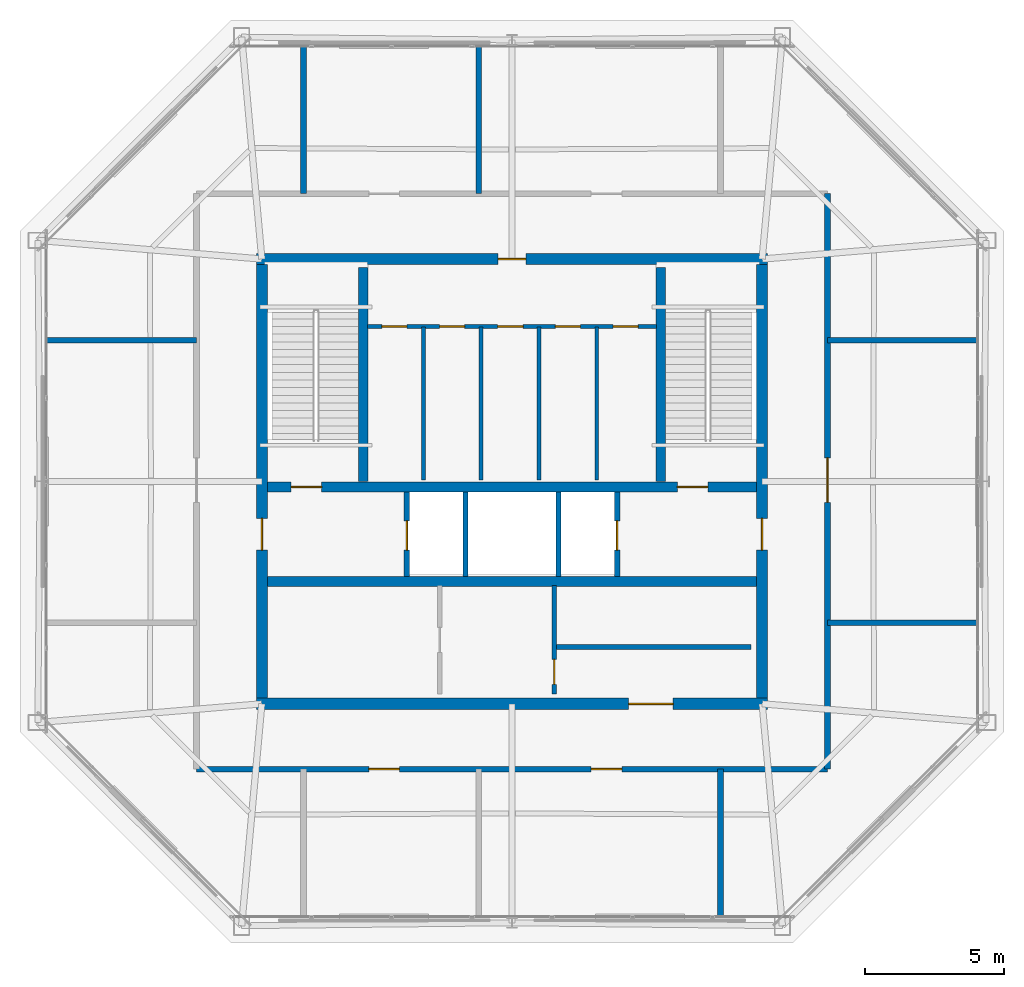
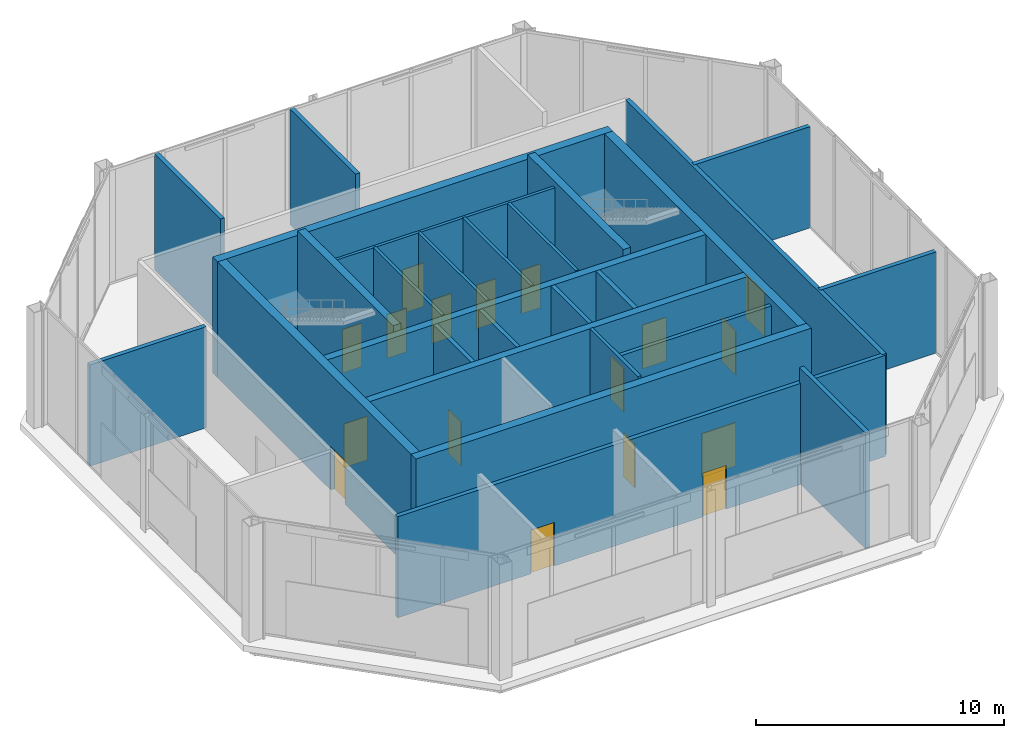
# One storey, part 18 of 20: 27 walls, 17 doors, 17 openings.
"""IFC4 building model written with IfcOpenShell, lengths in metres."""

from ifc_helpers import new_model, si_unit, direction, frame, frame_2d, origin, place, context, subcontext, project, spatial, rectangle, extrude, material, layer, layer_set, type_object, element, fill, save


model = new_model("IFC4")

# Units and contexts
model_context = context("Model", 3, precision=1e-05, world=origin(), true_north=direction((0.0, 1.0)))
body_context = subcontext(model_context, "Body", "Model", "MODEL_VIEW")
ifc_project = project(units=[si_unit("LENGTHUNIT", "METRE"), si_unit("AREAUNIT", "SQUARE_METRE"), si_unit("VOLUMEUNIT", "CUBIC_METRE"), si_unit("PLANEANGLEUNIT", "RADIAN"), si_unit("MASSUNIT", "GRAM", prefix="KILO")], contexts=[model_context])

# Site, building, storey
site_placement = place(None, origin())
site = spatial("IfcSite", under=ifc_project, at=site_placement, CompositionType="ELEMENT")
building_placement = place(site_placement, origin())
building = spatial("IfcBuilding", under=site, at=building_placement, Name="Caelvoria Tower", CompositionType="ELEMENT")
storey_placement = place(building_placement, frame((0.0, 0.0, 284.199951171875)))
storey = spatial("IfcBuildingStorey", under=building, at=storey_placement, Name="C1", CompositionType="ELEMENT", Elevation=284.199951171875)

# Wall, openings, doors
ifc_material_1 = material(Name="Concrete C50/60", Category="concrete")
ifc_layer_1 = layer(ifc_material_1, 0.35009765625, Name="Concrete C50/60")
ifc_layer_set_1 = layer_set([ifc_layer_1], Name="Core Internal Shear Wall 350 - Concrete C50/60")
wall_type_1 = type_object("IfcWallType", Name="Core Internal Shear Wall 350", PredefinedType="SHEAR", material=ifc_layer_set_1)
wall_1_placement = place(storey_placement, frame((37.199951171875, 31.800048828125, 0.0), z_axis=(0.0, 0.0, 1.0), x_axis=(1.0, 0.0, 0.0)))
wall_1 = element("IfcWall", 1, at=wall_1_placement, inside=storey, type_object=wall_type_1, Name="Core Shear Wall C1 M1", PredefinedType="SHEAR", context=body_context, shape_type="SweptSolid", body=[
    extrude(rectangle(XDim=17.60009765625, YDim=0.35009765625, at=frame_2d((8.800048828125, 0.0))), origin(), (0.0, 0.0, 1.0), 5.699951171875),
])
opening_1_placement = place(wall_1_placement, frame((0.85009765625, 0.0, 0.0)))
opening_1 = element("IfcOpeningElement", 2, at=opening_1_placement, cuts=wall_1, Name="Opening ID-01", PredefinedType="OPENING", context=body_context, shape_type="SweptSolid", body=[
    extrude(rectangle(XDim=1.10009765625, YDim=2.14990234375, at=frame_2d((0.550048828125, 1.074951171875))), frame((0.0, 0.18505859375, 0.0), z_axis=(0.0, -1.0, 0.0), x_axis=(1.0, 0.0, 0.0)), (0.0, 0.0, 1.0), 0.3701171875),
])
opening_2_placement = place(wall_1_placement, frame((14.75, 0.0, 0.0)))
opening_2 = element("IfcOpeningElement", 3, at=opening_2_placement, cuts=wall_1, Name="Opening ID-01", PredefinedType="OPENING", context=body_context, shape_type="SweptSolid", body=[
    extrude(rectangle(XDim=1.10009765625, YDim=2.14990234375, at=frame_2d((0.550048828125, 1.074951171875))), frame((0.0, 0.18505859375, 0.0), z_axis=(0.0, -1.0, 0.0), x_axis=(1.0, 0.0, 0.0)), (0.0, 0.0, 1.0), 0.3701171875),
])
ifc_material_2 = material(Name="Painted Hollow Steel Fire Door", Category="steel")
door_type_1 = type_object("IfcDoorType", Name="Fire Door FD90S 1100x2150", OperationType="NOTDEFINED", PredefinedType="DOOR", material=ifc_material_2)
door_1_placement = place(opening_1_placement, origin())
door_1 = element("IfcDoor", 4, at=door_1_placement, inside=storey, type_object=door_type_1, Name="Core Door DR-C1-ST1", OperationType="SINGLE_SWING_LEFT", OverallHeight=2.14990234375, OverallWidth=1.10009765625, PredefinedType="DOOR", context=body_context, shape_type="SweptSolid", body=[
    extrude(rectangle(XDim=1.10009765625, YDim=2.14990234375, at=frame_2d((0.550048828125, 1.074951171875))), frame((0.0, 0.02490234375, 0.0), z_axis=(0.0, -1.0, 0.0), x_axis=(1.0, 0.0, 0.0)), (0.0, 0.0, 1.0), 0.050048828125),
])
fill(opening_1, door_1)
door_2_placement = place(opening_2_placement, origin())
door_2 = element("IfcDoor", 5, at=door_2_placement, inside=storey, type_object=door_type_1, Name="Core Door DR-C1-ST2", OperationType="SINGLE_SWING_RIGHT", OverallHeight=2.14990234375, OverallWidth=1.10009765625, PredefinedType="DOOR", context=body_context, shape_type="SweptSolid", body=[
    extrude(rectangle(XDim=1.10009765625, YDim=2.14990234375, at=frame_2d((0.550048828125, 1.074951171875))), frame((0.0, 0.02490234375, 0.0), z_axis=(0.0, -1.0, 0.0), x_axis=(1.0, 0.0, 0.0)), (0.0, 0.0, 1.0), 0.050048828125),
])
fill(opening_2, door_2)

# Walls
wall_2_placement = place(storey_placement, frame((37.199951171875, 28.39990234375, 0.0), z_axis=(0.0, 0.0, 1.0), x_axis=(1.0, 0.0, 0.0)))
element("IfcWall", 6, at=wall_2_placement, inside=storey, type_object=wall_type_1, Name="Core Shear Wall C1 M2", PredefinedType="SHEAR", context=body_context, shape_type="SweptSolid", body=[
    extrude(rectangle(XDim=17.60009765625, YDim=0.35009765625, at=frame_2d((8.800048828125, 0.0))), origin(), (0.0, 0.0, 1.0), 5.699951171875),
])
for number, where, z_axis, x_axis, name in (
    (7, (40.64990234375, 32.0, 0.0), (0.0, 0.0, 1.0), (0.0, 1.0, 0.0), "Interior Partition IW-C1-ST1E"),
    (8, (51.35009765625, 32.0, 0.0), (0.0, 0.0, 1.0), (0.0, 1.0, 0.0), "Interior Partition IW-C1-ST2W"),
):
    element("IfcWall", number, at=place(storey_placement, frame(where, z_axis=z_axis, x_axis=x_axis)), inside=storey, type_object=wall_type_1, Name=name, PredefinedType="SHEAR", context=body_context, shape_type="SweptSolid", body=[
        extrude(rectangle(XDim=7.699951171875, YDim=0.35009765625, at=frame_2d((3.85009765625, 0.0))), origin(), (0.0, 0.0, 1.0), 6.0),
    ])
ifc_material_3 = material(Name="Moisture-Resistant Gypsum on Steel Stud", Category="steel")
ifc_layer_2 = layer(ifc_material_3, 0.139892578125, Name="Moisture-Resistant Gypsum on Steel Stud")
ifc_layer_set_2 = layer_set([ifc_layer_2], Name="Core Sanitary Acoustic Partition Wall 140 - Moisture-Resistant Gypsum on Steel Stud")
wall_type_2 = type_object("IfcWallType", Name="Core Sanitary Acoustic Partition Wall 140", PredefinedType="PARTITIONING", material=ifc_layer_set_2)
for number, where, z_axis, x_axis, name in (
    (9, (42.81005859375, 32.050048828125, 0.0), (0.0, 0.0, 1.0), (0.0, 1.0, 0.0), "Interior Partition IW-C1-C1V0"),
    (10, (44.889892578125, 32.050048828125, 0.0), (0.0, 0.0, 1.0), (0.0, 1.0, 0.0), "Interior Partition IW-C1-C1V1"),
    (11, (46.969970703125, 32.050048828125, 0.0), (0.0, 0.0, 1.0), (0.0, 1.0, 0.0), "Interior Partition IW-C1-C1V2"),
    (12, (49.050048828125, 32.050048828125, 0.0), (0.0, 0.0, 1.0), (0.0, 1.0, 0.0), "Interior Partition IW-C1-C1V3"),
):
    element("IfcWall", number, at=place(storey_placement, frame(where, z_axis=z_axis, x_axis=x_axis)), inside=storey, type_object=wall_type_2, Name=name, PredefinedType="PARTITIONING", context=body_context, shape_type="SweptSolid", body=[
        extrude(rectangle(XDim=5.5, YDim=0.139892578125, at=frame_2d((2.75, 0.0))), origin(), (0.0, 0.0, 1.0), 5.699951171875),
    ])

# Wall, openings, doors
wall_3_placement = place(storey_placement, frame((40.800048828125, 37.580078125, 0.0), z_axis=(0.0, 0.0, 1.0), x_axis=(1.0, 0.0, 0.0)))
wall_3 = element("IfcWall", 13, at=wall_3_placement, inside=storey, type_object=wall_type_2, Name="Interior Partition IW-C1-C1H", PredefinedType="PARTITIONING", context=body_context, shape_type="SweptSolid", body=[
    extrude(rectangle(XDim=10.39990234375, YDim=0.139892578125, at=frame_2d((5.199951171875, 0.0))), origin(), (0.0, 0.0, 1.0), 5.699951171875),
])
opening_3_placement = place(wall_3_placement, frame((0.52001953125, 0.0, 0.0)))
opening_3 = element("IfcOpeningElement", 14, at=opening_3_placement, cuts=wall_3, Name="Opening ID-06", PredefinedType="OPENING", context=body_context, shape_type="SweptSolid", body=[
    extrude(rectangle(XDim=0.89990234375, YDim=2.14990234375, at=frame_2d((0.449951171875, 1.074951171875))), frame((0.0, 0.079833984375, 0.0), z_axis=(0.0, -1.0, 0.0), x_axis=(1.0, 0.0, 0.0)), (0.0, 0.0, 1.0), 0.159912109375),
])
opening_4_placement = place(wall_3_placement, frame((2.60009765625, 0.0, 0.0)))
opening_4 = element("IfcOpeningElement", 15, at=opening_4_placement, cuts=wall_3, Name="Opening ID-06", PredefinedType="OPENING", context=body_context, shape_type="SweptSolid", body=[
    extrude(rectangle(XDim=0.89990234375, YDim=2.14990234375, at=frame_2d((0.449951171875, 1.074951171875))), frame((0.0, 0.079833984375, 0.0), z_axis=(0.0, -1.0, 0.0), x_axis=(1.0, 0.0, 0.0)), (0.0, 0.0, 1.0), 0.159912109375),
])
opening_5_placement = place(wall_3_placement, frame((4.679931640625, 0.0, 0.0)))
opening_5 = element("IfcOpeningElement", 16, at=opening_5_placement, cuts=wall_3, Name="Opening ID-07", PredefinedType="OPENING", context=body_context, shape_type="SweptSolid", body=[
    extrude(rectangle(XDim=0.919921875, YDim=2.14990234375, at=frame_2d((0.4599609375, 1.074951171875))), frame((0.0, 0.079833984375, 0.0), z_axis=(0.0, -1.0, 0.0), x_axis=(1.0, 0.0, 0.0)), (0.0, 0.0, 1.0), 0.159912109375),
])
opening_6_placement = place(wall_3_placement, frame((6.760009765625, 0.0, 0.0)))
opening_6 = element("IfcOpeningElement", 17, at=opening_6_placement, cuts=wall_3, Name="Opening ID-06", PredefinedType="OPENING", context=body_context, shape_type="SweptSolid", body=[
    extrude(rectangle(XDim=0.89990234375, YDim=2.14990234375, at=frame_2d((0.449951171875, 1.074951171875))), frame((0.0, 0.079833984375, 0.0), z_axis=(0.0, -1.0, 0.0), x_axis=(1.0, 0.0, 0.0)), (0.0, 0.0, 1.0), 0.159912109375),
])
opening_7_placement = place(wall_3_placement, frame((8.840087890625, 0.0, 0.0)))
opening_7 = element("IfcOpeningElement", 18, at=opening_7_placement, cuts=wall_3, Name="Opening ID-06", PredefinedType="OPENING", context=body_context, shape_type="SweptSolid", body=[
    extrude(rectangle(XDim=0.89990234375, YDim=2.14990234375, at=frame_2d((0.449951171875, 1.074951171875))), frame((0.0, 0.079833984375, 0.0), z_axis=(0.0, -1.0, 0.0), x_axis=(1.0, 0.0, 0.0)), (0.0, 0.0, 1.0), 0.159912109375),
])
ifc_material_4 = material(Name="Engineered Andean Oak Accessible Door", Category="wood")
door_type_2 = type_object("IfcDoorType", Name="Accessible WC Door 950x2150", OperationType="NOTDEFINED", PredefinedType="DOOR", material=ifc_material_4)
door_3_placement = place(opening_5_placement, origin())
door_3 = element("IfcDoor", 19, at=door_3_placement, inside=storey, type_object=door_type_2, Name="Interior Door DR-C1-C1-3", OperationType="SINGLE_SWING_LEFT", OverallHeight=2.14990234375, OverallWidth=0.919921875, PredefinedType="DOOR", context=body_context, shape_type="SweptSolid", body=[
    extrude(rectangle(XDim=0.919921875, YDim=2.14990234375, at=frame_2d((0.4599609375, 1.074951171875))), frame((0.0, 0.02490234375, 0.0), z_axis=(0.0, -1.0, 0.0), x_axis=(1.0, 0.0, 0.0)), (0.0, 0.0, 1.0), 0.050048828125),
])
fill(opening_5, door_3)
ifc_material_5 = material(Name="Engineered Andean Oak Veneer Door", Category="wood")
door_type_3 = type_object("IfcDoorType", Name="Interior Timber Door 900x2150", OperationType="NOTDEFINED", PredefinedType="DOOR", material=ifc_material_5)
door_4_placement = place(opening_3_placement, origin())
door_4 = element("IfcDoor", 20, at=door_4_placement, inside=storey, type_object=door_type_3, Name="Interior Door DR-C1-C1-1", OperationType="SINGLE_SWING_LEFT", OverallHeight=2.14990234375, OverallWidth=0.89990234375, PredefinedType="DOOR", context=body_context, shape_type="SweptSolid", body=[
    extrude(rectangle(XDim=0.89990234375, YDim=2.14990234375, at=frame_2d((0.449951171875, 1.074951171875))), frame((0.0, 0.02490234375, 0.0), z_axis=(0.0, -1.0, 0.0), x_axis=(1.0, 0.0, 0.0)), (0.0, 0.0, 1.0), 0.050048828125),
])
fill(opening_3, door_4)
door_5_placement = place(opening_4_placement, origin())
door_5 = element("IfcDoor", 21, at=door_5_placement, inside=storey, type_object=door_type_3, Name="Interior Door DR-C1-C1-2", OperationType="SINGLE_SWING_RIGHT", OverallHeight=2.14990234375, OverallWidth=0.89990234375, PredefinedType="DOOR", context=body_context, shape_type="SweptSolid", body=[
    extrude(rectangle(XDim=0.89990234375, YDim=2.14990234375, at=frame_2d((0.449951171875, 1.074951171875))), frame((0.0, 0.02490234375, 0.0), z_axis=(0.0, -1.0, 0.0), x_axis=(1.0, 0.0, 0.0)), (0.0, 0.0, 1.0), 0.050048828125),
])
fill(opening_4, door_5)
door_6_placement = place(opening_6_placement, origin())
door_6 = element("IfcDoor", 22, at=door_6_placement, inside=storey, type_object=door_type_3, Name="Interior Door DR-C1-C1-4", OperationType="SINGLE_SWING_RIGHT", OverallHeight=2.14990234375, OverallWidth=0.89990234375, PredefinedType="DOOR", context=body_context, shape_type="SweptSolid", body=[
    extrude(rectangle(XDim=0.89990234375, YDim=2.14990234375, at=frame_2d((0.449951171875, 1.074951171875))), frame((0.0, 0.02490234375, 0.0), z_axis=(0.0, -1.0, 0.0), x_axis=(1.0, 0.0, 0.0)), (0.0, 0.0, 1.0), 0.050048828125),
])
fill(opening_6, door_6)
door_7_placement = place(opening_7_placement, origin())
door_7 = element("IfcDoor", 23, at=door_7_placement, inside=storey, type_object=door_type_3, Name="Interior Door DR-C1-C1-5", OperationType="SINGLE_SWING_LEFT", OverallHeight=2.14990234375, OverallWidth=0.89990234375, PredefinedType="DOOR", context=body_context, shape_type="SweptSolid", body=[
    extrude(rectangle(XDim=0.89990234375, YDim=2.14990234375, at=frame_2d((0.449951171875, 1.074951171875))), frame((0.0, 0.02490234375, 0.0), z_axis=(0.0, -1.0, 0.0), x_axis=(1.0, 0.0, 0.0)), (0.0, 0.0, 1.0), 0.050048828125),
])
fill(opening_7, door_7)

# Wall, opening, door
ifc_material_6 = material(Name="Double Gypsum Board on Steel Stud", Category="steel")
ifc_layer_3 = layer(ifc_material_6, 0.14990234375, Name="Double Gypsum Board on Steel Stud")
ifc_layer_set_3 = layer_set([ifc_layer_3], Name="Core Service Acoustic Partition Wall 150 - Double Gypsum Board on Steel Stud")
wall_type_3 = type_object("IfcWallType", Name="Core Service Acoustic Partition Wall 150", PredefinedType="PARTITIONING", material=ifc_layer_set_3)
wall_4_placement = place(storey_placement, frame((47.52001953125, 24.35009765625, 0.0), z_axis=(0.0, 0.0, 1.0), x_axis=(0.0, 1.0, 0.0)))
wall_4 = element("IfcWall", 24, at=wall_4_placement, inside=storey, type_object=wall_type_3, Name="Interior Partition IW-C1-RECL2E", PredefinedType="PARTITIONING", context=body_context, shape_type="SweptSolid", body=[
    extrude(rectangle(XDim=3.89990234375, YDim=0.14990234375, at=frame_2d((1.949951171875, 0.0))), origin(), (0.0, 0.0, 1.0), 5.699951171875),
])
opening_8_placement = place(wall_4_placement, frame((0.35009765625, 0.0, 0.0)))
opening_8 = element("IfcOpeningElement", 25, at=opening_8_placement, cuts=wall_4, Name="Opening ID-04", PredefinedType="OPENING", context=body_context, shape_type="SweptSolid", body=[
    extrude(rectangle(XDim=0.89990234375, YDim=2.14990234375, at=frame_2d((0.449951171875, 1.074951171875))), frame((0.0, 0.0849609375, 0.0), z_axis=(0.0, -1.0, 0.0), x_axis=(1.0, 0.0, 0.0)), (0.0, 0.0, 1.0), 0.169921875),
])
ifc_material_7 = material(Name="Acoustic Timber Fire Door", Category="wood")
door_type_4 = type_object("IfcDoorType", Name="Fire Door FD30S 900x2150", OperationType="NOTDEFINED", PredefinedType="DOOR", material=ifc_material_7)
door_8_placement = place(opening_8_placement, origin())
door_8 = element("IfcDoor", 26, at=door_8_placement, inside=storey, type_object=door_type_4, Name="Interior Door DR-C1-RECL2", OperationType="SINGLE_SWING_RIGHT", OverallHeight=2.14990234375, OverallWidth=0.89990234375, PredefinedType="DOOR", context=body_context, shape_type="SweptSolid", body=[
    extrude(rectangle(XDim=0.89990234375, YDim=2.14990234375, at=frame_2d((0.449951171875, 1.074951171875))), frame((0.0, 0.02490234375, 0.0), z_axis=(0.0, -1.0, 0.0), x_axis=(1.0, 0.0, 0.0)), (0.0, 0.0, 1.0), 0.050048828125),
])
fill(opening_8, door_8)

# Walls
ifc_material_8 = material(Name="Concrete Block and Fireboard Assembly", Category="concrete")
ifc_layer_4 = layer(ifc_material_8, 0.179931640625, Name="Concrete Block and Fireboard Assembly")
ifc_layer_set_4 = layer_set([ifc_layer_4], Name="Fire-Rated Hoistway Partition Wall 180 - Concrete Block and Fireboard Assembly")
wall_type_4 = type_object("IfcWallType", Name="Fire-Rated Hoistway Partition Wall 180", PredefinedType="PARTITIONING", material=ifc_layer_set_4)
for number, where, z_axis, x_axis, name in (
    (27, (44.320068359375, 28.580078125, 0.0), (0.0, 0.0, 1.0), (0.0, 1.0, 0.0), "Interior Partition IW-C1-SV1W"),
    (28, (47.679931640625, 28.580078125, 0.0), (0.0, 0.0, 1.0), (0.0, 1.0, 0.0), "Interior Partition IW-C1-SV1E"),
):
    element("IfcWall", number, at=place(storey_placement, frame(where, z_axis=z_axis, x_axis=x_axis)), inside=storey, type_object=wall_type_4, Name=name, PredefinedType="PARTITIONING", context=body_context, shape_type="SweptSolid", body=[
        extrude(rectangle(XDim=3.0400390625, YDim=0.179931640625, at=frame_2d((1.52001953125, 0.0))), origin(), (0.0, 0.0, 1.0), 5.699951171875),
    ])
wall_5_placement = place(storey_placement, frame((47.60009765625, 26.050048828125, 0.0), z_axis=(0.0, 0.0, 1.0), x_axis=(1.0, 0.0, 0.0)))
element("IfcWall", 29, at=wall_5_placement, inside=storey, type_object=wall_type_4, Name="Interior Partition IW-C1-LFRONT", PredefinedType="PARTITIONING", context=body_context, shape_type="SweptSolid", body=[
    extrude(rectangle(XDim=7.0, YDim=0.179931640625, at=frame_2d((3.5, 0.0))), origin(), (0.0, 0.0, 1.0), 5.699951171875),
])

# Wall, opening, door
ifc_layer_5 = layer(ifc_material_8, 0.199951171875, Name="Concrete Block and Fireboard Assembly")
ifc_layer_set_5 = layer_set([ifc_layer_5], Name="Fire-Rated Shaft and Core Partition Wall 200 - Concrete Block and Fireboard Assembly")
wall_type_5 = type_object("IfcWallType", Name="Fire-Rated Shaft and Core Partition Wall 200", PredefinedType="PARTITIONING", material=ifc_layer_set_5)
wall_6_placement = place(storey_placement, frame((42.219970703125, 28.580078125, 0.0), z_axis=(0.0, 0.0, 1.0), x_axis=(0.0, 1.0, 0.0)))
wall_6 = element("IfcWall", 30, at=wall_6_placement, inside=storey, type_object=wall_type_5, Name="Interior Partition IW-C1-LF1W", PredefinedType="PARTITIONING", context=body_context, shape_type="SweptSolid", body=[
    extrude(rectangle(XDim=3.0400390625, YDim=0.199951171875, at=frame_2d((1.52001953125, 0.0))), origin(), (0.0, 0.0, 1.0), 5.699951171875),
])
opening_9_placement = place(wall_6_placement, frame((0.949951171875, 0.0, 0.0)))
opening_9 = element("IfcOpeningElement", 31, at=opening_9_placement, cuts=wall_6, Name="Opening LD-01", PredefinedType="OPENING", context=body_context, shape_type="SweptSolid", body=[
    extrude(rectangle(XDim=1.050048828125, YDim=2.14990234375, at=frame_2d((0.52490234375, 1.074951171875))), frame((0.0, 0.10986328125, 0.0), z_axis=(0.0, -1.0, 0.0), x_axis=(1.0, 0.0, 0.0)), (0.0, 0.0, 1.0), 0.219970703125),
])
ifc_material_9 = material(Name="Brushed Bronze Stainless Sliding Landing Door", Category="aluminium")
door_type_5 = type_object("IfcDoorType", Name="Lift Landing Sliding Door 1100x2150", OperationType="NOTDEFINED", PredefinedType="DOOR", material=ifc_material_9)
door_9_placement = place(opening_9_placement, origin())
door_9 = element("IfcDoor", 32, at=door_9_placement, inside=storey, type_object=door_type_5, Name="Interior Door LD-C1-LF1", OperationType="SLIDING_TO_LEFT", OverallHeight=2.14990234375, OverallWidth=1.050048828125, PredefinedType="DOOR", context=body_context, shape_type="SweptSolid", body=[
    extrude(rectangle(XDim=1.050048828125, YDim=2.14990234375, at=frame_2d((0.52490234375, 1.074951171875))), frame((0.0, 0.02490234375, 0.0), z_axis=(0.0, -1.0, 0.0), x_axis=(1.0, 0.0, 0.0)), (0.0, 0.0, 1.0), 0.050048828125),
])
fill(opening_9, door_9)

wall_7_placement = place(storey_placement, frame((49.780029296875, 28.580078125, 0.0), z_axis=(0.0, 0.0, 1.0), x_axis=(0.0, 1.0, 0.0)))
wall_7 = element("IfcWall", 33, at=wall_7_placement, inside=storey, type_object=wall_type_5, Name="Interior Partition IW-C1-LF2E", PredefinedType="PARTITIONING", context=body_context, shape_type="SweptSolid", body=[
    extrude(rectangle(XDim=3.0400390625, YDim=0.199951171875, at=frame_2d((1.52001953125, 0.0))), origin(), (0.0, 0.0, 1.0), 5.699951171875),
])
opening_10_placement = place(wall_7_placement, frame((0.949951171875, 0.0, 0.0)))
opening_10 = element("IfcOpeningElement", 34, at=opening_10_placement, cuts=wall_7, Name="Opening LD-01", PredefinedType="OPENING", context=body_context, shape_type="SweptSolid", body=[
    extrude(rectangle(XDim=1.050048828125, YDim=2.14990234375, at=frame_2d((0.52490234375, 1.074951171875))), frame((0.0, 0.10986328125, 0.0), z_axis=(0.0, -1.0, 0.0), x_axis=(1.0, 0.0, 0.0)), (0.0, 0.0, 1.0), 0.219970703125),
])
door_10_placement = place(opening_10_placement, origin())
door_10 = element("IfcDoor", 35, at=door_10_placement, inside=storey, type_object=door_type_5, Name="Interior Door LD-C1-LF2", OperationType="SLIDING_TO_RIGHT", OverallHeight=2.14990234375, OverallWidth=1.050048828125, PredefinedType="DOOR", context=body_context, shape_type="SweptSolid", body=[
    extrude(rectangle(XDim=1.050048828125, YDim=2.14990234375, at=frame_2d((0.52490234375, 1.074951171875))), frame((0.0, 0.02490234375, 0.0), z_axis=(0.0, -1.0, 0.0), x_axis=(1.0, 0.0, 0.0)), (0.0, 0.0, 1.0), 0.050048828125),
])
fill(opening_10, door_10)

# Walls
for number, where, z_axis, x_axis, name in (
    (36, (44.800048828125, 42.35009765625, 0.0), (0.0, 0.0, 1.0), (0.0, 1.0, 0.0), "Interior Partition IW-C1-PLT-NM"),
    (37, (38.5, 42.35009765625, 0.0), (0.0, 0.0, 1.0), (0.0, 1.0, 0.0), "Interior Partition IW-C1-OCH-SWN"),
    (38, (53.5, 16.340087890625, 0.0), (0.0, 0.0, 1.0), (0.0, 1.0, 0.0), "Interior Partition IW-C1-OCH-SES"),
):
    element("IfcWall", number, at=place(storey_placement, frame(where, z_axis=z_axis, x_axis=x_axis)), inside=storey, type_object=wall_type_5, Name=name, PredefinedType="PARTITIONING", context=body_context, shape_type="SweptSolid", body=[
        extrude(rectangle(XDim=5.309814453125, YDim=0.199951171875, at=frame_2d((2.65478515625, 0.0))), origin(), (0.0, 0.0, 1.0), 5.699951171875),
    ])

# Wall, openings, doors
wall_8_placement = place(storey_placement, frame((34.64990234375, 21.64990234375, 0.0), z_axis=(0.0, 0.0, 1.0), x_axis=(1.0, 0.0, 0.0)))
wall_8 = element("IfcWall", 39, at=wall_8_placement, inside=storey, type_object=wall_type_5, Name="Interior Partition IW-C1-CRS", PredefinedType="PARTITIONING", context=body_context, shape_type="SweptSolid", body=[
    extrude(rectangle(XDim=22.7001953125, YDim=0.199951171875, at=frame_2d((11.35009765625, 0.0))), origin(), (0.0, 0.0, 1.0), 4.97998046875),
])
opening_11_placement = place(wall_8_placement, frame((6.199951171875, 0.0, 0.0)))
opening_11 = element("IfcOpeningElement", 40, at=opening_11_placement, cuts=wall_8, Name="Opening ID-01", PredefinedType="OPENING", context=body_context, shape_type="SweptSolid", body=[
    extrude(rectangle(XDim=1.10009765625, YDim=2.14990234375, at=frame_2d((0.550048828125, 1.074951171875))), frame((0.0, 0.10986328125, 0.0), z_axis=(0.0, -1.0, 0.0), x_axis=(1.0, 0.0, 0.0)), (0.0, 0.0, 1.0), 0.219970703125),
])
opening_12_placement = place(wall_8_placement, frame((14.199951171875, 0.0, 0.0)))
opening_12 = element("IfcOpeningElement", 41, at=opening_12_placement, cuts=wall_8, Name="Opening ID-01", PredefinedType="OPENING", context=body_context, shape_type="SweptSolid", body=[
    extrude(rectangle(XDim=1.10009765625, YDim=2.14990234375, at=frame_2d((0.550048828125, 1.074951171875))), frame((0.0, 0.10986328125, 0.0), z_axis=(0.0, -1.0, 0.0), x_axis=(1.0, 0.0, 0.0)), (0.0, 0.0, 1.0), 0.219970703125),
])
door_11_placement = place(opening_11_placement, origin())
door_11 = element("IfcDoor", 42, at=door_11_placement, inside=storey, type_object=door_type_1, Name="Interior Door DR-C1-PLTS1", OperationType="SINGLE_SWING_LEFT", OverallHeight=2.14990234375, OverallWidth=1.10009765625, PredefinedType="DOOR", context=body_context, shape_type="SweptSolid", body=[
    extrude(rectangle(XDim=1.10009765625, YDim=2.14990234375, at=frame_2d((0.550048828125, 1.074951171875))), frame((0.0, 0.02490234375, 0.0), z_axis=(0.0, -1.0, 0.0), x_axis=(1.0, 0.0, 0.0)), (0.0, 0.0, 1.0), 0.050048828125),
])
fill(opening_11, door_11)
door_12_placement = place(opening_12_placement, origin())
door_12 = element("IfcDoor", 43, at=door_12_placement, inside=storey, type_object=door_type_1, Name="Interior Door DR-C1-PLTS2", OperationType="SINGLE_SWING_RIGHT", OverallHeight=2.14990234375, OverallWidth=1.10009765625, PredefinedType="DOOR", context=body_context, shape_type="SweptSolid", body=[
    extrude(rectangle(XDim=1.10009765625, YDim=2.14990234375, at=frame_2d((0.550048828125, 1.074951171875))), frame((0.0, 0.02490234375, 0.0), z_axis=(0.0, -1.0, 0.0), x_axis=(1.0, 0.0, 0.0)), (0.0, 0.0, 1.0), 0.050048828125),
])
fill(opening_12, door_12)

# Wall, opening, door
wall_9_placement = place(storey_placement, frame((57.35009765625, 21.64990234375, 0.0), z_axis=(0.0, 0.0, 1.0), x_axis=(0.0, 1.0, 0.0)))
wall_9 = element("IfcWall", 44, at=wall_9_placement, inside=storey, type_object=wall_type_5, Name="Interior Partition IW-C1-CRE", PredefinedType="PARTITIONING", context=body_context, shape_type="SweptSolid", body=[
    extrude(rectangle(XDim=20.7001953125, YDim=0.199951171875, at=frame_2d((10.35009765625, 0.0))), origin(), (0.0, 0.0, 1.0), 4.97998046875),
])
opening_13_placement = place(wall_9_placement, frame((9.60009765625, 0.0, 0.0)))
opening_13 = element("IfcOpeningElement", 45, at=opening_13_placement, cuts=wall_9, Name="Opening ID-08", PredefinedType="OPENING", context=body_context, shape_type="SweptSolid", body=[
    extrude(rectangle(XDim=1.60009765625, YDim=2.14990234375, at=frame_2d((0.800048828125, 1.074951171875))), frame((0.0, 0.10986328125, 0.0), z_axis=(0.0, -1.0, 0.0), x_axis=(1.0, 0.0, 0.0)), (0.0, 0.0, 1.0), 0.219970703125),
])
ifc_material_10 = material(Name="Bronze-Framed Fire-Rated Glazed Double Door", Category="aluminium")
door_type_6 = type_object("IfcDoorType", Name="Double Lobby Glazed Door 1600x2200", OperationType="NOTDEFINED", PredefinedType="DOOR", material=ifc_material_10)
door_13_placement = place(opening_13_placement, origin())
door_13 = element("IfcDoor", 46, at=door_13_placement, inside=storey, type_object=door_type_6, Name="Interior Door DR-C1-REFE", OperationType="DOUBLE_DOOR_SINGLE_SWING", OverallHeight=2.14990234375, OverallWidth=1.60009765625, PredefinedType="DOOR", context=body_context, shape_type="SweptSolid", body=[
    extrude(rectangle(XDim=1.60009765625, YDim=2.14990234375, at=frame_2d((0.800048828125, 1.074951171875))), frame((0.0, 0.02490234375, 0.0), z_axis=(0.0, -1.0, 0.0), x_axis=(1.0, 0.0, 0.0)), (0.0, 0.0, 1.0), 0.050048828125),
])
fill(opening_13, door_13)

# Walls
for number, where, z_axis, x_axis, name in (
    (47, (29.239990234375, 37.080078125, 0.0), (0.0, 0.0, 1.0), (1.0, 0.0, 0.0), "Interior Partition IW-C1-RSEP-WN"),
    (48, (57.35009765625, 26.919921875, 0.0), (0.0, 0.0, 1.0), (1.0, 0.0, 0.0), "Interior Partition IW-C1-RSEP-ES"),
    (49, (57.35009765625, 37.080078125, 0.0), (0.0, 0.0, 1.0), (1.0, 0.0, 0.0), "Interior Partition IW-C1-RSEP-EN"),
):
    element("IfcWall", number, at=place(storey_placement, frame(where, z_axis=z_axis, x_axis=x_axis)), inside=storey, type_object=wall_type_5, Name=name, PredefinedType="PARTITIONING", context=body_context, shape_type="SweptSolid", body=[
        extrude(rectangle(XDim=5.409912109375, YDim=0.199951171875, at=frame_2d((2.705078125, 0.0))), origin(), (0.0, 0.0, 1.0), 4.97998046875),
    ])

# Wall, opening, door
ifc_layer_6 = layer(ifc_material_1, 0.39990234375, Name="Concrete C50/60")
ifc_layer_set_6 = layer_set([ifc_layer_6], Name="Summit Core Shear Wall 400 - Concrete C50/60")
wall_type_6 = type_object("IfcWallType", Name="Summit Core Shear Wall 400", PredefinedType="SHEAR", material=ifc_layer_set_6)
wall_10_placement = place(storey_placement, frame((36.800048828125, 24.0, 0.0), z_axis=(0.0, 0.0, 1.0), x_axis=(1.0, 0.0, 0.0)))
wall_10 = element("IfcWall", 50, at=wall_10_placement, inside=storey, type_object=wall_type_6, Name="Core Shear Wall C1 S", PredefinedType="SHEAR", context=body_context, shape_type="SweptSolid", body=[
    extrude(rectangle(XDim=18.39990234375, YDim=0.39990234375, at=frame_2d((9.199951171875, 0.0))), origin(), (0.0, 0.0, 1.0), 5.699951171875),
])
opening_14_placement = place(wall_10_placement, frame((13.39990234375, 0.0, 0.0)))
opening_14 = element("IfcOpeningElement", 51, at=opening_14_placement, cuts=wall_10, Name="Opening ID-08", PredefinedType="OPENING", context=body_context, shape_type="SweptSolid", body=[
    extrude(rectangle(XDim=1.60009765625, YDim=2.14990234375, at=frame_2d((0.800048828125, 1.074951171875))), frame((0.0, 0.2099609375, 0.0), z_axis=(0.0, -1.0, 0.0), x_axis=(1.0, 0.0, 0.0)), (0.0, 0.0, 1.0), 0.419921875),
])
door_14_placement = place(opening_14_placement, origin())
door_14 = element("IfcDoor", 52, at=door_14_placement, inside=storey, type_object=door_type_6, Name="Core Door DR-C1-LLOB-S2", OperationType="DOUBLE_DOOR_SINGLE_SWING", OverallHeight=2.14990234375, OverallWidth=1.60009765625, PredefinedType="DOOR", context=body_context, shape_type="SweptSolid", body=[
    extrude(rectangle(XDim=1.60009765625, YDim=2.14990234375, at=frame_2d((0.800048828125, 1.074951171875))), frame((0.0, 0.02490234375, 0.0), z_axis=(0.0, -1.0, 0.0), x_axis=(1.0, 0.0, 0.0)), (0.0, 0.0, 1.0), 0.050048828125),
])
fill(opening_14, door_14)

wall_11_placement = place(storey_placement, frame((36.800048828125, 40.0, 0.0), z_axis=(0.0, 0.0, 1.0), x_axis=(1.0, 0.0, 0.0)))
wall_11 = element("IfcWall", 53, at=wall_11_placement, inside=storey, type_object=wall_type_6, Name="Core Shear Wall C1 N", PredefinedType="SHEAR", context=body_context, shape_type="SweptSolid", body=[
    extrude(rectangle(XDim=18.39990234375, YDim=0.39990234375, at=frame_2d((9.199951171875, 0.0))), origin(), (0.0, 0.0, 1.0), 5.699951171875),
])
opening_15_placement = place(wall_11_placement, frame((8.699951171875, 0.0, 0.0)))
opening_15 = element("IfcOpeningElement", 54, at=opening_15_placement, cuts=wall_11, Name="Opening ID-03", PredefinedType="OPENING", context=body_context, shape_type="SweptSolid", body=[
    extrude(rectangle(XDim=1.0, YDim=2.14990234375, at=frame_2d((0.5, 1.074951171875))), frame((0.0, 0.2099609375, 0.0), z_axis=(0.0, -1.0, 0.0), x_axis=(1.0, 0.0, 0.0)), (0.0, 0.0, 1.0), 0.419921875),
])
door_type_7 = type_object("IfcDoorType", Name="Fire Door FD60S 1000x2150", OperationType="NOTDEFINED", PredefinedType="DOOR", material=ifc_material_2)
door_15_placement = place(opening_15_placement, origin())
door_15 = element("IfcDoor", 55, at=door_15_placement, inside=storey, type_object=door_type_7, Name="Core Door DR-C1-WC-MAIN", OperationType="SINGLE_SWING_RIGHT", OverallHeight=2.14990234375, OverallWidth=1.0, PredefinedType="DOOR", context=body_context, shape_type="SweptSolid", body=[
    extrude(rectangle(XDim=1.0, YDim=2.14990234375, at=frame_2d((0.5, 1.074951171875))), frame((0.0, 0.02490234375, 0.0), z_axis=(0.0, -1.0, 0.0), x_axis=(1.0, 0.0, 0.0)), (0.0, 0.0, 1.0), 0.050048828125),
])
fill(opening_15, door_15)

wall_12_placement = place(storey_placement, frame((37.0, 24.199951171875, 0.0), z_axis=(0.0, 0.0, 1.0), x_axis=(0.0, 1.0, 0.0)))
wall_12 = element("IfcWall", 56, at=wall_12_placement, inside=storey, type_object=wall_type_6, Name="Core Shear Wall C1 W", PredefinedType="SHEAR", context=body_context, shape_type="SweptSolid", body=[
    extrude(rectangle(XDim=15.60009765625, YDim=0.39990234375, at=frame_2d((7.800048828125, 0.0))), origin(), (0.0, 0.0, 1.0), 5.699951171875),
])
opening_16_placement = place(wall_12_placement, frame((5.324951171875, 0.0, 0.0)))
opening_16 = element("IfcOpeningElement", 57, at=opening_16_placement, cuts=wall_12, Name="Opening ID-02", PredefinedType="OPENING", context=body_context, shape_type="SweptSolid", body=[
    extrude(rectangle(XDim=1.14990234375, YDim=2.14990234375, at=frame_2d((0.574951171875, 1.074951171875))), frame((0.0, 0.2099609375, 0.0), z_axis=(0.0, -1.0, 0.0), x_axis=(1.0, 0.0, 0.0)), (0.0, 0.0, 1.0), 0.419921875),
])
door_type_8 = type_object("IfcDoorType", Name="Fire Door FD60S 1150x2150", OperationType="NOTDEFINED", PredefinedType="DOOR", material=ifc_material_2)
door_16_placement = place(opening_16_placement, origin())
door_16 = element("IfcDoor", 58, at=door_16_placement, inside=storey, type_object=door_type_8, Name="Core Door DR-C1-FFLW-OUT", OperationType="SINGLE_SWING_LEFT", OverallHeight=2.14990234375, OverallWidth=1.14990234375, PredefinedType="DOOR", context=body_context, shape_type="SweptSolid", body=[
    extrude(rectangle(XDim=1.14990234375, YDim=2.14990234375, at=frame_2d((0.574951171875, 1.074951171875))), frame((0.0, 0.02490234375, 0.0), z_axis=(0.0, -1.0, 0.0), x_axis=(1.0, 0.0, 0.0)), (0.0, 0.0, 1.0), 0.050048828125),
])
fill(opening_16, door_16)

wall_13_placement = place(storey_placement, frame((55.0, 24.199951171875, 0.0), z_axis=(0.0, 0.0, 1.0), x_axis=(0.0, 1.0, 0.0)))
wall_13 = element("IfcWall", 59, at=wall_13_placement, inside=storey, type_object=wall_type_6, Name="Core Shear Wall C1 E", PredefinedType="SHEAR", context=body_context, shape_type="SweptSolid", body=[
    extrude(rectangle(XDim=15.60009765625, YDim=0.39990234375, at=frame_2d((7.800048828125, 0.0))), origin(), (0.0, 0.0, 1.0), 5.699951171875),
])
opening_17_placement = place(wall_13_placement, frame((5.324951171875, 0.0, 0.0)))
opening_17 = element("IfcOpeningElement", 60, at=opening_17_placement, cuts=wall_13, Name="Opening ID-02", PredefinedType="OPENING", context=body_context, shape_type="SweptSolid", body=[
    extrude(rectangle(XDim=1.14990234375, YDim=2.14990234375, at=frame_2d((0.574951171875, 1.074951171875))), frame((0.0, 0.2099609375, 0.0), z_axis=(0.0, -1.0, 0.0), x_axis=(1.0, 0.0, 0.0)), (0.0, 0.0, 1.0), 0.419921875),
])
door_17_placement = place(opening_17_placement, origin())
door_17 = element("IfcDoor", 61, at=door_17_placement, inside=storey, type_object=door_type_8, Name="Core Door DR-C1-FFLE-OUT", OperationType="SINGLE_SWING_RIGHT", OverallHeight=2.14990234375, OverallWidth=1.14990234375, PredefinedType="DOOR", context=body_context, shape_type="SweptSolid", body=[
    extrude(rectangle(XDim=1.14990234375, YDim=2.14990234375, at=frame_2d((0.574951171875, 1.074951171875))), frame((0.0, 0.02490234375, 0.0), z_axis=(0.0, -1.0, 0.0), x_axis=(1.0, 0.0, 0.0)), (0.0, 0.0, 1.0), 0.050048828125),
])
fill(opening_17, door_17)

save(model, "model.ifc")
